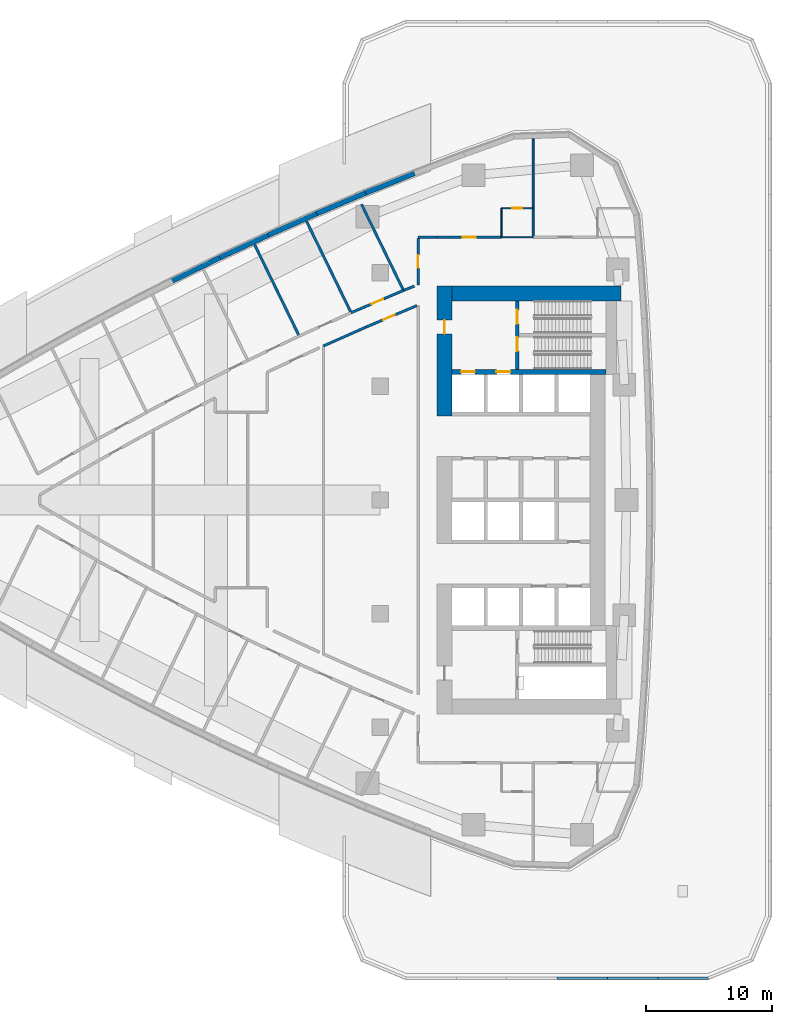
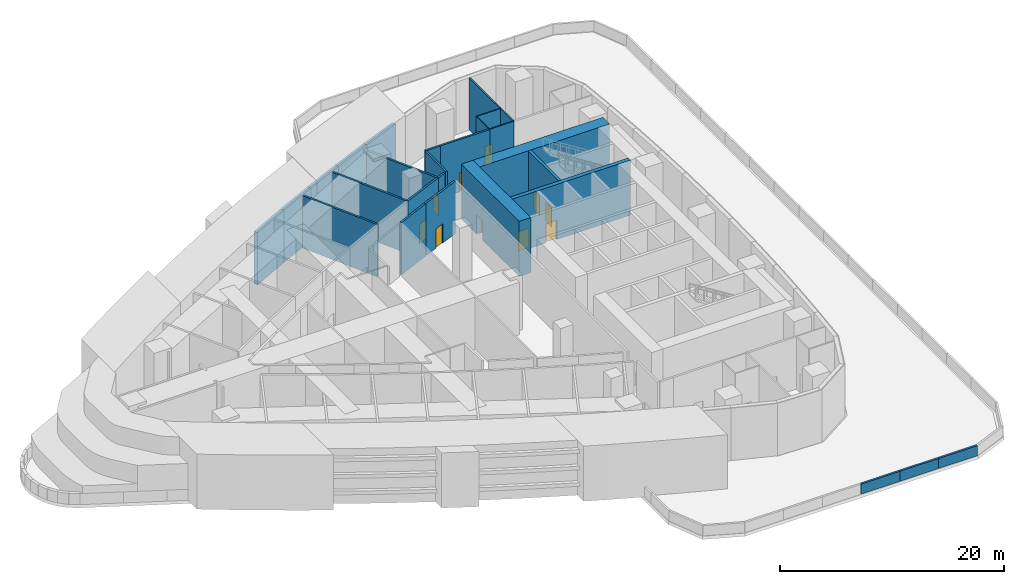
# One storey, part 5 of 14: 26 walls, 10 doors, 10 openings.
"""IFC4 building model written with IfcOpenShell, lengths in metres."""

import ifcopenshell
import ifcopenshell.guid

model = None  # the IFC model being written
_history = None  # IfcOwnerHistory: only IFC2X3 demands one
_inside = {}  # id of a spatial element -> (the spatial element, [elements in it])
_under = {}  # id of a project, library or spatial element -> (it, [spatial elements below it])
_declared = {}  # id of a project -> (the project, [libraries it declares])
_typed = {}  # id of a type object -> (the type object, [elements of that type])
_made_of = {}  # id of a material, layer set ... -> (it, [elements and type objects made of it])


def new_model(schema):
    """Start an empty IFC model of exactly this schema.

    Asked for "IFC4X3", IfcOpenShell would pick the latest addendum, in which some entities
    have other attributes; the version numbers below select the first issue.
    IFC2X3 requires an IfcOwnerHistory on every rooted entity: one is made here for all.
    """
    global model, _history
    if schema == "IFC4X3":
        model = ifcopenshell.file(schema_version=(4, 3, 0, 0))
    else:
        model = ifcopenshell.file(schema=schema)
    _inside.clear()
    _under.clear()
    _declared.clear()
    _typed.clear()
    _made_of.clear()
    _history = None
    if model.schema == "IFC2X3":
        org = make("IfcOrganization", Name="unknown")
        user = make(
            "IfcPersonAndOrganization",
            ThePerson=make("IfcPerson", FamilyName="unknown"),
            TheOrganization=org,
        )
        app = make(
            "IfcApplication",
            ApplicationDeveloper=org,
            Version="unknown",
            ApplicationFullName="unknown",
            ApplicationIdentifier="unknown",
        )
        _history = make(
            "IfcOwnerHistory",
            OwningUser=user,
            OwningApplication=app,
            ChangeAction="ADDED",
            CreationDate=0,
        )
    return model


def make(cls, **values):
    """One entity of the class cls with the attributes given. An attribute that is None is left unset."""
    return model.create_entity(
        cls, **{name: value for name, value in values.items() if value is not None}
    )


def rooted(cls, **values):
    """An entity with a GlobalId (a new one), such as an element, a storey or a relation."""
    return make(cls, GlobalId=ifcopenshell.guid.new(), OwnerHistory=_history, **values)


def si_unit(unit_type, name, prefix=None):
    """IfcSIUnit, for example si_unit("LENGTHUNIT", "METRE", prefix="MILLI")."""
    return make("IfcSIUnit", UnitType=unit_type, Prefix=prefix, Name=name)


def assignment(units):
    """IfcUnitAssignment: the units of a project."""
    return None if units is None else make("IfcUnitAssignment", Units=units)


def point(xyz):
    """IfcCartesianPoint."""
    return None if xyz is None else make("IfcCartesianPoint", Coordinates=xyz)


def direction(xyz):
    """IfcDirection."""
    return None if xyz is None else make("IfcDirection", DirectionRatios=xyz)


def frame(location, z_axis=None, x_axis=None):
    """IfcAxis2Placement3D, a coordinate frame: its origin and axes. An axis left out is left unset."""
    return make(
        "IfcAxis2Placement3D",
        Location=point(location),
        Axis=direction(z_axis),
        RefDirection=direction(x_axis),
    )


def frame_2d(location, x_axis=None):
    """IfcAxis2Placement2D, a coordinate frame in the plane: its origin and x axis."""
    return make(
        "IfcAxis2Placement2D", Location=point(location), RefDirection=direction(x_axis)
    )


def origin():
    """The frame at (0, 0, 0) with its axes left unset."""
    return frame((0.0, 0.0, 0.0))


def place(relative_to, where):
    """IfcLocalPlacement: puts the frame where relative to a parent placement (None: the world)."""
    return make(
        "IfcLocalPlacement", PlacementRelTo=relative_to, RelativePlacement=where
    )


def context(
    kind, dimensions, precision=None, world=None, true_north=None, identifier=None
):
    """IfcGeometricRepresentationContext, for example the 3D "Model" context."""
    return make(
        "IfcGeometricRepresentationContext",
        ContextIdentifier=identifier,
        ContextType=kind,
        CoordinateSpaceDimension=dimensions,
        Precision=precision,
        WorldCoordinateSystem=world,
        TrueNorth=true_north,
    )


def subcontext(parent, identifier, kind, view, scale=None):
    """IfcGeometricRepresentationSubContext, for example "Body" below "Model"."""
    return make(
        "IfcGeometricRepresentationSubContext",
        ContextIdentifier=identifier,
        ContextType=kind,
        ParentContext=parent,
        TargetScale=scale,
        TargetView=view,
    )


def project(units=None, contexts=None):
    """IfcProject with its units and contexts."""
    return rooted(
        "IfcProject",
        Name="project",
        RepresentationContexts=contexts,
        UnitsInContext=assignment(units),
    )


def spatial(cls, under=None, at=None, **own):
    """A site, building, storey or space (cls), placed at a placement, below another one or the project."""
    s = rooted(cls, ObjectPlacement=at, **own)
    if under is not None:
        _under.setdefault(under.id(), (under, []))[1].append(s)
    return s


def polyline(points):
    """IfcPolyline through the points."""
    return make("IfcPolyline", Points=[point(p) for p in points])


def profile(cls, at=None, kind="AREA", **sizes):
    """A parametric profile (cls). Its sizes go by their IFC names, for example OverallWidth=200.0."""
    return make(cls, ProfileType=kind, Position=at, **sizes)


def rectangle(**sizes):
    """IfcRectangleProfileDef."""
    return profile("IfcRectangleProfileDef", **sizes)


def outline(outer, holes=None, kind="AREA"):
    """IfcArbitraryClosedProfileDef: a profile drawn as a closed curve; with holes, ...WithVoids."""
    if holes is None:
        return make("IfcArbitraryClosedProfileDef", ProfileType=kind, OuterCurve=outer)
    return make(
        "IfcArbitraryProfileDefWithVoids",
        ProfileType=kind,
        OuterCurve=outer,
        InnerCurves=holes,
    )


def extrude(swept, where, along, depth):
    """IfcExtrudedAreaSolid: the profile swept, set in the frame where, extruded along a direction by depth."""
    return make(
        "IfcExtrudedAreaSolid",
        SweptArea=swept,
        Position=where,
        ExtrudedDirection=direction(along),
        Depth=depth,
    )


def shape(context_of_items, identifier, shape_type, items):
    """IfcShapeRepresentation: the items that make up one representation, for example the "Body"."""
    return make(
        "IfcShapeRepresentation",
        ContextOfItems=context_of_items,
        RepresentationIdentifier=identifier,
        RepresentationType=shape_type,
        Items=items,
    )


def material(Name=None, Category=None):
    """IfcMaterial."""
    return make("IfcMaterial", Name=Name, Category=Category)


def layer(
    of_material, thickness, ventilated=None, Name=None, Category=None, Priority=None
):
    """IfcMaterialLayer: one layer of a wall or slab, of a material (None: an air gap)."""
    return make(
        "IfcMaterialLayer",
        Material=of_material,
        LayerThickness=thickness,
        IsVentilated=ventilated,
        Name=Name,
        Category=Category,
        Priority=Priority,
    )


def layer_set(layers, Name=None):
    """IfcMaterialLayerSet."""
    return make("IfcMaterialLayerSet", MaterialLayers=layers, LayerSetName=Name)


def made_of(thing, what):
    """Note that an element or type object is made of a material, layer set ...; save() writes the relation."""
    if what is not None:
        _made_of.setdefault(what.id(), (what, []))[1].append(thing)
    return thing


def type_object(cls, material=None, **own):
    """A type object (cls), such as IfcWallType, which elements share."""
    return made_of(rooted(cls, **own), material)


def element(
    cls,
    number,
    at=None,
    inside=None,
    cuts=None,
    type_object=None,
    material=None,
    context=None,
    identifier="Body",
    shape_type=None,
    held_by="IfcProductDefinitionShape",
    body=None,
    shapes=None,
    **own,
):
    """One element of the class cls, such as IfcWall. Its Tag is "e" and its number.

    at: its placement. inside: the storey or other place that contains it. cuts: it is an
    opening in that element (IfcRelVoidsElement). A single representation is given by context,
    identifier, shape_type and body (its items); several are given by shapes. held_by: the class
    of the entity that holds the representations. save() writes the other relations.
    """
    e = rooted(cls, Tag="e%d" % number, ObjectPlacement=at, **own)
    if body is not None:
        shapes = [shape(context, identifier, shape_type, body)]
    if shapes is not None:
        e.Representation = make(held_by, Representations=shapes)
    if inside is not None:
        _inside.setdefault(inside.id(), (inside, []))[1].append(e)
    if cuts is not None:
        rooted(
            "IfcRelVoidsElement", RelatingBuildingElement=cuts, RelatedOpeningElement=e
        )
    if type_object is not None:
        _typed.setdefault(type_object.id(), (type_object, []))[1].append(e)
    return made_of(e, material)


def fill(opening, filler):
    """IfcRelFillsElement: the door or window that sits in an opening."""
    return rooted(
        "IfcRelFillsElement",
        RelatingOpeningElement=opening,
        RelatedBuildingElement=filler,
    )


def aggregate(whole, parts):
    """IfcRelAggregates: a whole, such as a stair, and the parts it consists of."""
    return rooted("IfcRelAggregates", RelatingObject=whole, RelatedObjects=parts)


def save(model, path):
    """Write the relations noted so far, then the file.

    IfcRelAggregates (storeys below a building ...), IfcRelContainedInSpatialStructure (elements
    in a storey), IfcRelDefinesByType, IfcRelAssociatesMaterial and IfcRelDeclares: one each for
    every whole, place, type object, material and project.
    """
    for whole, parts in _under.values():
        aggregate(whole, parts)
    for where, things in _inside.values():
        rooted(
            "IfcRelContainedInSpatialStructure",
            RelatedElements=things,
            RelatingStructure=where,
        )
    for kind, things in _typed.values():
        rooted("IfcRelDefinesByType", RelatedObjects=things, RelatingType=kind)
    for what, things in _made_of.values():
        rooted("IfcRelAssociatesMaterial", RelatedObjects=things, RelatingMaterial=what)
    for by, libraries in _declared.values():
        rooted("IfcRelDeclares", RelatingContext=by, RelatedDefinitions=libraries)
    model.write(path)


model = new_model("IFC4")

# Units and contexts
model_context = context("Model", 3, precision=1e-05, world=origin(), true_north=direction((0.0, 1.0)))
body_context = subcontext(model_context, "Body", "Model", "MODEL_VIEW")
ifc_project = project(units=[si_unit("LENGTHUNIT", "METRE"), si_unit("AREAUNIT", "SQUARE_METRE"), si_unit("VOLUMEUNIT", "CUBIC_METRE"), si_unit("PLANEANGLEUNIT", "RADIAN"), si_unit("MASSUNIT", "GRAM", prefix="KILO")], contexts=[model_context])

# Site, building, storey
site_placement = place(None, origin())
site = spatial("IfcSite", under=ifc_project, at=site_placement, CompositionType="ELEMENT")
building_placement = place(site_placement, origin())
building = spatial("IfcBuilding", under=site, at=building_placement, Name="Ostrand Prow Hotel Tower", CompositionType="ELEMENT")
storey_placement = place(building_placement, frame((0.0, 0.0, 29.0)))
storey = spatial("IfcBuildingStorey", under=building, at=storey_placement, Name="L05", CompositionType="ELEMENT", Elevation=29.0)

# Wall, opening, door
ifc_material_1 = material(Name="Concrete C80/95", Category="concrete")
ifc_layer_1 = layer(ifc_material_1, 1.199951171875)
ifc_layer_set_1 = layer_set([ifc_layer_1], Name="Concrete C80/95")
wall_type_1 = type_object("IfcWallType", Name="Core wall 1200 C80/95", PredefinedType="SHEAR", material=ifc_layer_set_1)
wall_1_placement = place(storey_placement, frame((50.10009765625, 6.64990234375, 0.0), z_axis=(0.0, 0.0, 1.0), x_axis=(0.0, 1.0, 0.0)))
wall_1 = element("IfcWall", 1, at=wall_1_placement, inside=storey, type_object=wall_type_1, Name="Core wall CW-W-N", PredefinedType="SHEAR", context=body_context, shape_type="SweptSolid", body=[
    extrude(rectangle(XDim=10.300048828125, YDim=1.199951171875, at=frame_2d((5.14990234375, 0.0))), origin(), (0.0, 0.0, 1.0), 6.0),
])
opening_1_placement = place(wall_1_placement, frame((6.5, 0.0, 0.0)))
opening_1 = element("IfcOpeningElement", 2, at=opening_1_placement, cuts=wall_1, Name="Opening FD1", PredefinedType="OPENING", context=body_context, shape_type="SweptSolid", body=[
    extrude(rectangle(XDim=1.10009765625, YDim=2.10009765625, at=frame_2d((0.550048828125, 1.050048828125))), frame((0.0, 0.60986328125, 0.0), z_axis=(0.0, -1.0, 0.0), x_axis=(1.0, 0.0, 0.0)), (0.0, 0.0, 1.0), 1.219970703125),
])
ifc_material_2 = material(Name="Steel fire door", Category="steel")
door_type_1 = type_object("IfcDoorType", Name="Fire door 1100 EI120", OperationType="SINGLE_SWING_RIGHT", PredefinedType="DOOR", material=ifc_material_2)
door_1_placement = place(opening_1_placement, origin())
door_1 = element("IfcDoor", 3, at=door_1_placement, inside=storey, type_object=door_type_1, Name="FIRE DOOR", OperationType="SINGLE_SWING_RIGHT", OverallHeight=2.10009765625, OverallWidth=1.10009765625, PredefinedType="DOOR", context=body_context, shape_type="SweptSolid", body=[
    extrude(rectangle(XDim=1.10009765625, YDim=2.10009765625, at=frame_2d((0.550048828125, 1.050048828125))), frame((0.0, 0.02490234375, 0.0), z_axis=(0.0, -1.0, 0.0), x_axis=(1.0, 0.0, 0.0)), (0.0, 0.0, 1.0), 0.050048828125),
])
fill(opening_1, door_1)

# Wall
wall_2_placement = place(storey_placement, frame((50.699951171875, 16.35009765625, 0.0), z_axis=(0.0, 0.0, 1.0), x_axis=(1.0, 0.0, 0.0)))
element("IfcWall", 4, at=wall_2_placement, inside=storey, type_object=wall_type_1, Name="Core wall CW-N", PredefinedType="SHEAR", context=body_context, shape_type="SweptSolid", body=[
    extrude(rectangle(XDim=13.380126953125, YDim=1.199951171875, at=frame_2d((6.68994140625, 0.0))), origin(), (0.0, 0.0, 1.0), 6.0),
])

# Wall, openings, doors
ifc_material_3 = material(Name="Concrete C80/95", Category="concrete")
ifc_layer_2 = layer(ifc_material_3, 0.300048828125)
ifc_layer_set_2 = layer_set([ifc_layer_2], Name="Concrete C80/95")
wall_type_2 = type_object("IfcWallType", Name="Core wall 300 C80/95", PredefinedType="SHEAR", material=ifc_layer_set_2)
wall_3_placement = place(storey_placement, frame((55.85009765625, 10.35009765625, 0.0), z_axis=(0.0, 0.0, 1.0), x_axis=(0.0, 1.0, 0.0)))
wall_3 = element("IfcWall", 5, at=wall_3_placement, inside=storey, type_object=wall_type_2, Name="Core wall PW-VN", PredefinedType="SHEAR", context=body_context, shape_type="SweptSolid", body=[
    extrude(rectangle(XDim=5.39990234375, YDim=0.300048828125, at=frame_2d((2.699951171875, 0.0))), origin(), (0.0, 0.0, 1.0), 6.0),
])
opening_2_placement = place(wall_3_placement, frame((1.429931640625, 0.0, 0.0)))
opening_2 = element("IfcOpeningElement", 6, at=opening_2_placement, cuts=wall_3, Name="Opening FD1", PredefinedType="OPENING", context=body_context, shape_type="SweptSolid", body=[
    extrude(rectangle(XDim=1.10009765625, YDim=2.10009765625, at=frame_2d((0.550048828125, 1.050048828125))), frame((0.0, 0.159912109375, 0.0), z_axis=(0.0, -1.0, 0.0), x_axis=(1.0, 0.0, 0.0)), (0.0, 0.0, 1.0), 0.320068359375),
])
opening_3_placement = place(wall_3_placement, frame((3.60009765625, 0.0, 0.0)))
opening_3 = element("IfcOpeningElement", 7, at=opening_3_placement, cuts=wall_3, Name="Opening FD1", PredefinedType="OPENING", context=body_context, shape_type="SweptSolid", body=[
    extrude(rectangle(XDim=1.10009765625, YDim=2.10009765625, at=frame_2d((0.550048828125, 1.050048828125))), frame((0.0, 0.159912109375, 0.0), z_axis=(0.0, -1.0, 0.0), x_axis=(1.0, 0.0, 0.0)), (0.0, 0.0, 1.0), 0.320068359375),
])
door_2_placement = place(opening_2_placement, origin())
door_2 = element("IfcDoor", 8, at=door_2_placement, inside=storey, type_object=door_type_1, Name="FIRE DOOR", OperationType="SINGLE_SWING_RIGHT", OverallHeight=2.10009765625, OverallWidth=1.10009765625, PredefinedType="DOOR", context=body_context, shape_type="SweptSolid", body=[
    extrude(rectangle(XDim=1.10009765625, YDim=2.10009765625, at=frame_2d((0.550048828125, 1.050048828125))), frame((0.0, 0.02490234375, 0.0), z_axis=(0.0, -1.0, 0.0), x_axis=(1.0, 0.0, 0.0)), (0.0, 0.0, 1.0), 0.050048828125),
])
fill(opening_2, door_2)
door_3_placement = place(opening_3_placement, origin())
door_3 = element("IfcDoor", 9, at=door_3_placement, inside=storey, type_object=door_type_1, Name="FIRE DOOR", OperationType="SINGLE_SWING_RIGHT", OverallHeight=2.10009765625, OverallWidth=1.10009765625, PredefinedType="DOOR", context=body_context, shape_type="SweptSolid", body=[
    extrude(rectangle(XDim=1.10009765625, YDim=2.10009765625, at=frame_2d((0.550048828125, 1.050048828125))), frame((0.0, 0.02490234375, 0.0), z_axis=(0.0, -1.0, 0.0), x_axis=(1.0, 0.0, 0.0)), (0.0, 0.0, 1.0), 0.050048828125),
])
fill(opening_3, door_3)

ifc_material_4 = material(Name="Concrete C80/95", Category="concrete")
ifc_layer_3 = layer(ifc_material_4, 0.39990234375)
ifc_layer_set_3 = layer_set([ifc_layer_3], Name="Concrete C80/95")
wall_type_3 = type_object("IfcWallType", Name="Core wall 400 C80/95", PredefinedType="SHEAR", material=ifc_layer_set_3)
wall_4_placement = place(storey_placement, frame((50.699951171875, 10.14990234375, 0.0), z_axis=(0.0, 0.0, 1.0), x_axis=(1.0, 0.0, 0.0)))
wall_4 = element("IfcWall", 10, at=wall_4_placement, inside=storey, type_object=wall_type_3, Name="Core wall PW-BN", PredefinedType="SHEAR", context=body_context, shape_type="SweptSolid", body=[
    extrude(rectangle(XDim=12.179931640625, YDim=0.39990234375, at=frame_2d((6.08984375, 0.0))), origin(), (0.0, 0.0, 1.0), 6.0),
])
opening_4_placement = place(wall_4_placement, frame((0.699951171875, 0.0, 0.0)))
opening_4 = element("IfcOpeningElement", 11, at=opening_4_placement, cuts=wall_4, Name="Opening LD", PredefinedType="OPENING", context=body_context, shape_type="SweptSolid", body=[
    extrude(rectangle(XDim=1.10009765625, YDim=2.10009765625, at=frame_2d((0.550048828125, 1.050048828125))), frame((0.0, 0.2099609375, 0.0), z_axis=(0.0, -1.0, 0.0), x_axis=(1.0, 0.0, 0.0)), (0.0, 0.0, 1.0), 0.419921875),
])
opening_5_placement = place(wall_4_placement, frame((3.5, 0.0, 0.0)))
opening_5 = element("IfcOpeningElement", 12, at=opening_5_placement, cuts=wall_4, Name="Opening LD", PredefinedType="OPENING", context=body_context, shape_type="SweptSolid", body=[
    extrude(rectangle(XDim=1.10009765625, YDim=2.10009765625, at=frame_2d((0.550048828125, 1.050048828125))), frame((0.0, 0.2099609375, 0.0), z_axis=(0.0, -1.0, 0.0), x_axis=(1.0, 0.0, 0.0)), (0.0, 0.0, 1.0), 0.419921875),
])
ifc_material_5 = material(Name="Stainless steel door", Category="steel")
door_type_2 = type_object("IfcDoorType", Name="Lift landing door 1100", OperationType="DOUBLE_DOOR_SLIDING", PredefinedType="DOOR", material=ifc_material_5)
door_4_placement = place(opening_4_placement, origin())
door_4 = element("IfcDoor", 13, at=door_4_placement, inside=storey, type_object=door_type_2, Name="LIFT LANDING DOOR", OperationType="DOUBLE_DOOR_SLIDING", OverallHeight=2.10009765625, OverallWidth=1.10009765625, PredefinedType="DOOR", context=body_context, shape_type="SweptSolid", body=[
    extrude(rectangle(XDim=1.10009765625, YDim=2.10009765625, at=frame_2d((0.550048828125, 1.050048828125))), frame((0.0, 0.02490234375, 0.0), z_axis=(0.0, -1.0, 0.0), x_axis=(1.0, 0.0, 0.0)), (0.0, 0.0, 1.0), 0.050048828125),
])
fill(opening_4, door_4)
door_5_placement = place(opening_5_placement, origin())
door_5 = element("IfcDoor", 14, at=door_5_placement, inside=storey, type_object=door_type_2, Name="LIFT LANDING DOOR", OperationType="DOUBLE_DOOR_SLIDING", OverallHeight=2.10009765625, OverallWidth=1.10009765625, PredefinedType="DOOR", context=body_context, shape_type="SweptSolid", body=[
    extrude(rectangle(XDim=1.10009765625, YDim=2.10009765625, at=frame_2d((0.550048828125, 1.050048828125))), frame((0.0, 0.02490234375, 0.0), z_axis=(0.0, -1.0, 0.0), x_axis=(1.0, 0.0, 0.0)), (0.0, 0.0, 1.0), 0.050048828125),
])
fill(opening_5, door_5)

# Wall
ifc_material_6 = material(Name="Plasterboard partition")
ifc_layer_4 = layer(ifc_material_6, 0.10009765625)
ifc_layer_set_4 = layer_set([ifc_layer_4], Name="Plasterboard partition")
wall_type_4 = type_object("IfcWallType", Name="Partition 100 bathroom wall", PredefinedType="PARTITIONING", material=ifc_layer_set_4)
wall_5_placement = place(storey_placement, frame((54.601806640625, 20.800048828125, 0.0), z_axis=(0.0, 0.0, 1.0), x_axis=(0.0, 1.0, 0.0)))
element("IfcWall", 15, at=wall_5_placement, inside=storey, type_object=wall_type_4, Name="BATHROOM WALL", PredefinedType="PARTITIONING", context=body_context, shape_type="SweptSolid", body=[
    extrude(rectangle(XDim=2.300048828125, YDim=0.10009765625, at=frame_2d((1.14990234375, 0.0))), origin(), (0.0, 0.0, 1.0), 5.699951171875),
])

# Wall, opening, door
wall_6_placement = place(storey_placement, frame((54.601806640625, 23.10009765625, 0.0), z_axis=(0.0, 0.0, 1.0), x_axis=(1.0, 0.0, 0.0)))
wall_6 = element("IfcWall", 16, at=wall_6_placement, inside=storey, type_object=wall_type_4, Name="BATHROOM WALL", PredefinedType="PARTITIONING", context=body_context, shape_type="SweptSolid", body=[
    extrude(rectangle(XDim=2.5, YDim=0.10009765625, at=frame_2d((1.25, 0.0))), origin(), (0.0, 0.0, 1.0), 5.699951171875),
])
opening_6_placement = place(wall_6_placement, frame((0.85009765625, 0.0, 0.0)))
opening_6 = element("IfcOpeningElement", 17, at=opening_6_placement, cuts=wall_6, Name="Opening D2", PredefinedType="OPENING", context=body_context, shape_type="SweptSolid", body=[
    extrude(rectangle(XDim=0.800048828125, YDim=2.10009765625, at=frame_2d((0.39990234375, 1.050048828125))), frame((0.0, 0.06005859375, 0.0), z_axis=(0.0, -1.0, 0.0), x_axis=(1.0, 0.0, 0.0)), (0.0, 0.0, 1.0), 0.1201171875),
])
ifc_material_7 = material(Name="Timber door leaf", Category="wood")
door_type_3 = type_object("IfcDoorType", Name="Bathroom door 800", OperationType="SINGLE_SWING_LEFT", PredefinedType="DOOR", material=ifc_material_7)
door_6_placement = place(opening_6_placement, origin())
door_6 = element("IfcDoor", 18, at=door_6_placement, inside=storey, type_object=door_type_3, Name="DOOR", OperationType="SINGLE_SWING_LEFT", OverallHeight=2.10009765625, OverallWidth=0.800048828125, PredefinedType="DOOR", context=body_context, shape_type="SweptSolid", body=[
    extrude(rectangle(XDim=0.800048828125, YDim=2.10009765625, at=frame_2d((0.39990234375, 1.050048828125))), frame((0.0, 0.02490234375, 0.0), z_axis=(0.0, -1.0, 0.0), x_axis=(1.0, 0.0, 0.0)), (0.0, 0.0, 1.0), 0.050048828125),
])
fill(opening_6, door_6)

# Walls
wall_7_placement = place(storey_placement, frame((57.101806640625, 20.804931640625, 0.0), z_axis=(0.0, 0.0, 1.0), x_axis=(-1.0, 0.0, 0.0)))
element("IfcWall", 19, at=wall_7_placement, inside=storey, type_object=wall_type_4, Name="BATHROOM WALL", PredefinedType="PARTITIONING", context=body_context, shape_type="SweptSolid", body=[
    extrude(rectangle(XDim=2.5, YDim=0.10009765625, at=frame_2d((1.25, 0.0))), origin(), (0.0, 0.0, 1.0), 5.699951171875),
])
ifc_material_8 = material(Name="Plasterboard partition")
ifc_layer_5 = layer(ifc_material_8, 0.14990234375)
ifc_layer_set_5 = layer_set([ifc_layer_5], Name="Plasterboard partition")
wall_type_5 = type_object("IfcWallType", Name="Partition 150 room partition", PredefinedType="PARTITIONING", material=ifc_layer_set_5)
wall_8_placement = place(storey_placement, frame((57.101806640625, 20.800048828125, 0.0), z_axis=(0.0, 0.0, 1.0), x_axis=(0.0, 1.0, 0.0)))
element("IfcWall", 20, at=wall_8_placement, inside=storey, type_object=wall_type_5, Name="ROOM PARTITION", PredefinedType="PARTITIONING", context=body_context, shape_type="SweptSolid", body=[
    extrude(rectangle(XDim=7.786865234375, YDim=0.14990234375, at=frame_2d((3.8935546875, 0.0))), origin(), (0.0, 0.0, 1.0), 5.699951171875),
])

# Wall, opening, door
ifc_material_9 = material(Name="Plasterboard partition")
ifc_layer_6 = layer(ifc_material_9, 0.199951171875)
ifc_layer_set_6 = layer_set([ifc_layer_6], Name="Plasterboard partition")
wall_type_6 = type_object("IfcWallType", Name="Partition 200 corridor wall", PredefinedType="PARTITIONING", material=ifc_layer_set_6)
wall_9_placement = place(storey_placement, frame((46.843505859375, 16.5908203125, 0.0), z_axis=(0.0, 0.0, 1.0), x_axis=(-0.92031727314, -0.39117274542, 0.0)))
wall_9 = element("IfcWall", 21, at=wall_9_placement, inside=storey, type_object=wall_type_6, Name="CORRIDOR WALL", PredefinedType="PARTITIONING", context=body_context, shape_type="SweptSolid", body=[
    extrude(rectangle(XDim=4.5087890625, YDim=0.199951171875, at=frame_2d((2.25439453125, 0.0))), origin(), (0.0, 0.0, 1.0), 5.699951171875),
])
opening_7_placement = place(wall_9_placement, frame((1.75439453125, 0.0, 0.0)))
opening_7 = element("IfcOpeningElement", 22, at=opening_7_placement, cuts=wall_9, Name="Opening D1", PredefinedType="OPENING", context=body_context, shape_type="SweptSolid", body=[
    extrude(rectangle(XDim=1.0, YDim=2.10009765625, at=frame_2d((0.5, 1.050048828125))), frame((0.0, 0.10986328125, 0.0), z_axis=(0.0, -1.0, 0.0), x_axis=(1.0, 0.0, 0.0)), (0.0, 0.0, 1.0), 0.219970703125),
])
ifc_material_10 = material(Name="Timber door leaf", Category="wood")
door_type_4 = type_object("IfcDoorType", Name="Guest room door 1000", OperationType="SINGLE_SWING_LEFT", PredefinedType="DOOR", material=ifc_material_10)
door_7_placement = place(opening_7_placement, origin())
door_7 = element("IfcDoor", 23, at=door_7_placement, inside=storey, type_object=door_type_4, Name="DOOR", OperationType="SINGLE_SWING_LEFT", OverallHeight=2.10009765625, OverallWidth=1.0, PredefinedType="DOOR", context=body_context, shape_type="SweptSolid", body=[
    extrude(rectangle(XDim=1.0, YDim=2.10009765625, at=frame_2d((0.5, 1.050048828125))), frame((0.0, 0.02490234375, 0.0), z_axis=(0.0, -1.0, 0.0), x_axis=(1.0, 0.0, 0.0)), (0.0, 0.0, 1.0), 0.050048828125),
])
fill(opening_7, door_7)

wall_10_placement = place(storey_placement, frame((43.85009765625, 13.67724609375, 0.0), z_axis=(0.0, 0.0, 1.0), x_axis=(0.921265924084, 0.388933281068, 0.0)))
wall_10 = element("IfcWall", 24, at=wall_10_placement, inside=storey, type_object=wall_type_6, Name="CORRIDOR WALL", PredefinedType="PARTITIONING", context=body_context, shape_type="SweptSolid", body=[
    extrude(rectangle(XDim=4.39599609375, YDim=0.199951171875, at=frame_2d((2.197998046875, 0.0))), origin(), (0.0, 0.0, 1.0), 5.699951171875),
])
opening_8_placement = place(wall_10_placement, frame((1.5078125, 0.0, 0.0)))
opening_8 = element("IfcOpeningElement", 25, at=opening_8_placement, cuts=wall_10, Name="Opening D1R", PredefinedType="OPENING", context=body_context, shape_type="SweptSolid", body=[
    extrude(rectangle(XDim=1.0, YDim=2.10009765625, at=frame_2d((0.5, 1.050048828125))), frame((0.0, 0.10986328125, 0.0), z_axis=(0.0, -1.0, 0.0), x_axis=(1.0, 0.0, 0.0)), (0.0, 0.0, 1.0), 0.219970703125),
])
ifc_material_11 = material(Name="Timber door leaf", Category="wood")
door_type_5 = type_object("IfcDoorType", Name="Guest room door 1000 right", OperationType="SINGLE_SWING_RIGHT", PredefinedType="DOOR", material=ifc_material_11)
door_8_placement = place(opening_8_placement, origin())
door_8 = element("IfcDoor", 26, at=door_8_placement, inside=storey, type_object=door_type_5, Name="DOOR", OperationType="SINGLE_SWING_RIGHT", OverallHeight=2.10009765625, OverallWidth=1.0, PredefinedType="DOOR", context=body_context, shape_type="SweptSolid", body=[
    extrude(rectangle(XDim=1.0, YDim=2.10009765625, at=frame_2d((0.5, 1.050048828125))), frame((0.0, 0.02490234375, 0.0), z_axis=(0.0, -1.0, 0.0), x_axis=(1.0, 0.0, 0.0)), (0.0, 0.0, 1.0), 0.050048828125),
])
fill(opening_8, door_8)

# Wall
wall_11_placement = place(storey_placement, frame((40.512451171875, 12.195556640625, 0.0), z_axis=(0.0, 0.0, 1.0), x_axis=(0.913985152197, 0.405747632849, 0.0)))
element("IfcWall", 27, at=wall_11_placement, inside=storey, type_object=wall_type_6, Name="CORRIDOR WALL", PredefinedType="PARTITIONING", context=body_context, shape_type="SweptSolid", body=[
    extrude(rectangle(XDim=3.65185546875, YDim=0.199951171875, at=frame_2d((1.825927734375, 0.0))), origin(), (0.0, 0.0, 1.0), 5.699951171875),
])

# Wall, opening, door
wall_12_placement = place(storey_placement, frame((54.5966796875, 20.804931640625, 0.0), z_axis=(0.0, 0.0, 1.0), x_axis=(-1.0, 0.0, 0.0)))
wall_12 = element("IfcWall", 28, at=wall_12_placement, inside=storey, type_object=wall_type_6, Name="CORRIDOR WALL", PredefinedType="PARTITIONING", context=body_context, shape_type="SweptSolid", body=[
    extrude(rectangle(XDim=5.0966796875, YDim=0.199951171875, at=frame_2d((2.54833984375, 0.0))), origin(), (0.0, 0.0, 1.0), 5.699951171875),
])
opening_9_placement = place(wall_12_placement, frame((2.04833984375, 0.0, 0.0)))
opening_9 = element("IfcOpeningElement", 29, at=opening_9_placement, cuts=wall_12, Name="Opening D1", PredefinedType="OPENING", context=body_context, shape_type="SweptSolid", body=[
    extrude(rectangle(XDim=1.0, YDim=2.10009765625, at=frame_2d((0.5, 1.050048828125))), frame((0.0, 0.10986328125, 0.0), z_axis=(0.0, -1.0, 0.0), x_axis=(1.0, 0.0, 0.0)), (0.0, 0.0, 1.0), 0.219970703125),
])
door_9_placement = place(opening_9_placement, origin())
door_9 = element("IfcDoor", 30, at=door_9_placement, inside=storey, type_object=door_type_4, Name="DOOR", OperationType="SINGLE_SWING_LEFT", OverallHeight=2.10009765625, OverallWidth=1.0, PredefinedType="DOOR", context=body_context, shape_type="SweptSolid", body=[
    extrude(rectangle(XDim=1.0, YDim=2.10009765625, at=frame_2d((0.5, 1.050048828125))), frame((0.0, 0.02490234375, 0.0), z_axis=(0.0, -1.0, 0.0), x_axis=(1.0, 0.0, 0.0)), (0.0, 0.0, 1.0), 0.050048828125),
])
fill(opening_9, door_9)

# Walls
wall_13_placement = place(storey_placement, frame((47.703857421875, 16.936279296875, 0.0), z_axis=(0.0, 0.0, 1.0), x_axis=(-0.927985537407, -0.372616213232, 0.0)))
element("IfcWall", 31, at=wall_13_placement, inside=storey, type_object=wall_type_6, Name="CORRIDOR WALL", PredefinedType="PARTITIONING", context=body_context, shape_type="SweptSolid", body=[
    extrude(rectangle(XDim=0.927001953125, YDim=0.199951171875, at=frame_2d((0.46337890625, 0.0))), origin(), (0.0, 0.0, 1.0), 5.699951171875),
])
wall_14_placement = place(storey_placement, frame((49.5, 20.804931640625, 0.0), z_axis=(0.0, 0.0, 1.0), x_axis=(-0.999998933031, -0.001460800259, 0.0)))
element("IfcWall", 32, at=wall_14_placement, inside=storey, type_object=wall_type_6, Name="CORRIDOR WALL", PredefinedType="PARTITIONING", context=body_context, shape_type="SweptSolid", body=[
    extrude(rectangle(XDim=1.504150390625, YDim=0.199951171875, at=frame_2d((0.751953125, 0.0))), origin(), (0.0, 0.0, 1.0), 5.699951171875),
])

# Wall, opening, door
wall_15_placement = place(storey_placement, frame((47.995849609375, 20.682861328125, 0.0), z_axis=(0.0, 0.0, 1.0), x_axis=(0.000802729021, -0.999999677813, 0.0)))
wall_15 = element("IfcWall", 33, at=wall_15_placement, inside=storey, type_object=wall_type_6, Name="CORRIDOR WALL", PredefinedType="PARTITIONING", context=body_context, shape_type="SweptSolid", body=[
    extrude(rectangle(XDim=3.649658203125, YDim=0.199951171875, at=frame_2d((1.82470703125, 0.0))), origin(), (0.0, 0.0, 1.0), 5.699951171875),
])
opening_10_placement = place(wall_15_placement, frame((1.300048828125, 0.0, 0.0)))
opening_10 = element("IfcOpeningElement", 34, at=opening_10_placement, cuts=wall_15, Name="Opening D1", PredefinedType="OPENING", context=body_context, shape_type="SweptSolid", body=[
    extrude(rectangle(XDim=1.0, YDim=2.10009765625, at=frame_2d((0.5, 1.050048828125))), frame((0.0, 0.10986328125, 0.0), z_axis=(0.0, -1.0, 0.0), x_axis=(1.0, 0.0, 0.0)), (0.0, 0.0, 1.0), 0.219970703125),
])
door_10_placement = place(opening_10_placement, origin())
door_10 = element("IfcDoor", 35, at=door_10_placement, inside=storey, type_object=door_type_4, Name="DOOR", OperationType="SINGLE_SWING_LEFT", OverallHeight=2.10009765625, OverallWidth=1.0, PredefinedType="DOOR", context=body_context, shape_type="SweptSolid", body=[
    extrude(rectangle(XDim=1.0, YDim=2.10009765625, at=frame_2d((0.5, 1.050048828125))), frame((0.0, 0.02490234375, 0.0), z_axis=(0.0, -1.0, 0.0), x_axis=(1.0, 0.0, 0.0)), (0.0, 0.0, 1.0), 0.050048828125),
])
fill(opening_10, door_10)

# Walls
ifc_material_12 = material(Name="Plasterboard partition")
ifc_layer_7 = layer(ifc_material_12, 0.199951171875)
ifc_layer_set_7 = layer_set([ifc_layer_7], Name="Plasterboard partition")
wall_type_7 = type_object("IfcWallType", Name="Partition 200 key partition", PredefinedType="PARTITIONING", material=ifc_layer_set_7)
wall_16_placement = place(storey_placement, frame((38.593505859375, 12.96337890625, 0.0), z_axis=(0.0, 0.0, 1.0), x_axis=(-0.438201330703, 0.898876851281, 0.0)))
element("IfcWall", 36, at=wall_16_placement, inside=storey, type_object=wall_type_7, Name="KEY PARTITION", PredefinedType="PARTITIONING", context=body_context, shape_type="SweptSolid", body=[
    extrude(rectangle(XDim=8.0712890625, YDim=0.199951171875, at=frame_2d((4.03564453125, 0.0))), origin(), (0.0, 0.0, 1.0), 5.699951171875),
])
wall_17_placement = place(storey_placement, frame((42.702880859375, 14.80908203125, 0.0), z_axis=(0.0, 0.0, 1.0), x_axis=(-0.43819369757, 0.898880572384, 0.0)))
element("IfcWall", 37, at=wall_17_placement, inside=storey, type_object=wall_type_7, Name="KEY PARTITION", PredefinedType="PARTITIONING", context=body_context, shape_type="SweptSolid", body=[
    extrude(rectangle(XDim=8.075439453125, YDim=0.199951171875, at=frame_2d((4.03759765625, 0.0))), origin(), (0.0, 0.0, 1.0), 5.699951171875),
])
wall_18_placement = place(storey_placement, frame((46.85205078125, 16.57275390625, 0.0), z_axis=(0.0, 0.0, 1.0), x_axis=(-0.438196739796, 0.898879089328, 0.0)))
element("IfcWall", 38, at=wall_18_placement, inside=storey, type_object=wall_type_7, Name="KEY PARTITION", PredefinedType="PARTITIONING", context=body_context, shape_type="SweptSolid", body=[
    extrude(rectangle(XDim=7.611083984375, YDim=0.199951171875, at=frame_2d((3.8056640625, 0.0))), origin(), (0.0, 0.0, 1.0), 5.699951171875),
])
ifc_material_13 = material(Name="Precast concrete C40/50", Category="concrete")
ifc_layer_8 = layer(ifc_material_13, 0.199951171875)
ifc_layer_set_8 = layer_set([ifc_layer_8], Name="Precast concrete C40/50")
wall_type_8 = type_object("IfcWallType", Name="Roof parapet 200 mm precast concrete", PredefinedType="PARAPET", material=ifc_layer_set_8)
for number, where, z_axis, x_axis, name in (
    (39, (59.0, -37.85009765625, 0.0), (0.0, 0.0, 1.0), (1.0, 0.0, 0.0), "Roof parapet PRP0 1.37"),
    (40, (62.989990234375, -37.85009765625, 0.0), (0.0, 0.0, 1.0), (1.0, 0.0, 0.0), "Roof parapet PRP0 1.38"),
):
    element("IfcWall", number, at=place(storey_placement, frame(where, z_axis=z_axis, x_axis=x_axis)), inside=storey, type_object=wall_type_8, Name=name, PredefinedType="PARAPET", context=body_context, shape_type="SweptSolid", body=[
        extrude(rectangle(XDim=3.989990234375, YDim=0.199951171875, at=frame_2d((1.9951171875, 0.0))), origin(), (0.0, 0.0, 1.0), 1.10009765625),
    ])
wall_19_placement = place(storey_placement, frame((66.97998046875, -37.85009765625, 0.0), z_axis=(0.0, 0.0, 1.0), x_axis=(1.0, 0.0, 0.0)))
element("IfcWall", 41, at=wall_19_placement, inside=storey, type_object=wall_type_8, Name="Roof parapet PRP0 1.39", PredefinedType="PARAPET", context=body_context, shape_type="SweptSolid", body=[
    extrude(rectangle(XDim=3.990234375, YDim=0.199951171875, at=frame_2d((1.9951171875, 0.0))), origin(), (0.0, 0.0, 1.0), 1.10009765625),
])
ifc_material_14 = material(Name="Precast concrete C40/50", Category="concrete")
ifc_layer_9 = layer(ifc_material_14, 0.39990234375)
ifc_layer_set_9 = layer_set([ifc_layer_9], Name="Precast concrete C40/50")
wall_type_9 = type_object("IfcWallType", Name="Stone-faced precast wall 400 mm", PredefinedType="NOTDEFINED", material=ifc_layer_set_9)
wall_20_placement = place(storey_placement, frame((47.716796875, 25.863037109375, 0.0), z_axis=(0.0, 0.0, 1.0), x_axis=(-0.928275931693, -0.371892181472, 0.0)))
element("IfcWall", 42, at=wall_20_placement, inside=storey, type_object=wall_type_9, Name="Stone-faced wall prow 36", PredefinedType="NOTDEFINED", context=body_context, shape_type="SweptSolid", body=[
    extrude(outline(polyline([(-0.001708984375, -0.199951171875), (4.197998046875, -0.199951171875), (4.194580078125, 0.199951171875), (0.001708984375, 0.199951171875), (-0.001708984375, -0.199951171875)])), origin(), (0.0, 0.0, 1.0), 5.699951171875),
])
wall_21_placement = place(storey_placement, frame((43.821533203125, 24.302490234375, 0.0), z_axis=(0.0, 0.0, 1.0), x_axis=(-0.921300983419, -0.388850225602, 0.0)))
element("IfcWall", 43, at=wall_21_placement, inside=storey, type_object=wall_type_9, Name="Stone-faced wall prow 37", PredefinedType="NOTDEFINED", context=body_context, shape_type="SweptSolid", body=[
    extrude(outline(polyline([(-0.001708984375, -0.199951171875), (4.19775390625, -0.199951171875), (4.1943359375, 0.199951171875), (0.001708984375, 0.199951171875), (-0.001708984375, -0.199951171875)])), origin(), (0.0, 0.0, 1.0), 5.699951171875),
])
for number, where, z_axis, x_axis, name in (
    (44, (39.955810546875, 22.6708984375, 0.0), (0.0, 0.0, 1.0), (-0.913957840298, -0.405809149919, 0.0), "Stone-faced wall prow 38"),
    (45, (36.12060546875, 20.968017578125, 0.0), (0.0, 0.0, 1.0), (-0.906355486536, -0.422515954758, 0.0), "Stone-faced wall prow 39"),
):
    element("IfcWall", number, at=place(storey_placement, frame(where, z_axis=z_axis, x_axis=x_axis)), inside=storey, type_object=wall_type_9, Name=name, PredefinedType="NOTDEFINED", context=body_context, shape_type="SweptSolid", body=[
        extrude(outline(polyline([(-0.001708984375, -0.199951171875), (4.197998046875, -0.199951171875), (4.194580078125, 0.199951171875), (0.001708984375, 0.199951171875), (-0.001708984375, -0.199951171875)])), origin(), (0.0, 0.0, 1.0), 5.699951171875),
    ])
wall_22_placement = place(storey_placement, frame((32.3173828125, 19.195068359375, 0.0), z_axis=(0.0, 0.0, 1.0), x_axis=(-0.898405787198, -0.439166302815, 0.0)))
element("IfcWall", 46, at=wall_22_placement, inside=storey, type_object=wall_type_9, Name="Stone-faced wall prow 40", PredefinedType="NOTDEFINED", context=body_context, shape_type="SweptSolid", body=[
    extrude(outline(polyline([(-0.001708984375, -0.199951171875), (4.19775390625, -0.199951171875), (4.1943359375, 0.199951171875), (0.001708984375, 0.199951171875), (-0.001708984375, -0.199951171875)])), origin(), (0.0, 0.0, 1.0), 5.699951171875),
])

save(model, "model.ifc")
